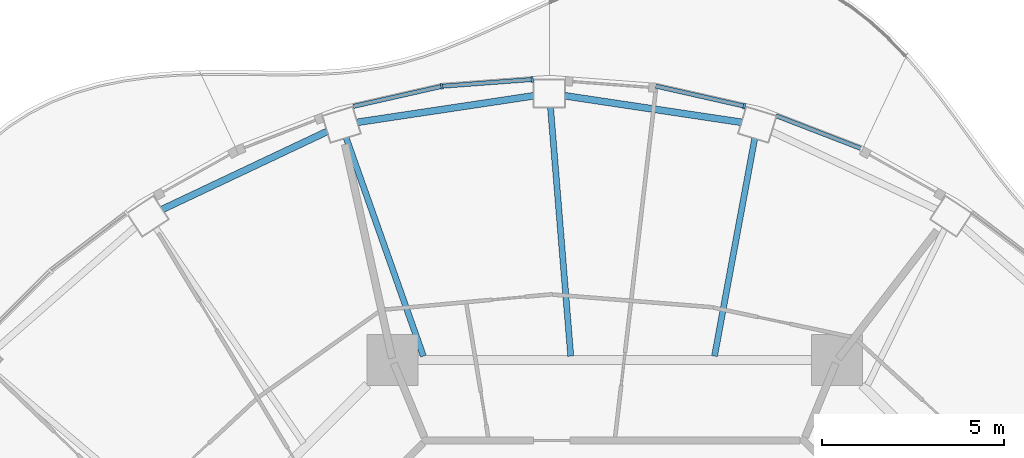
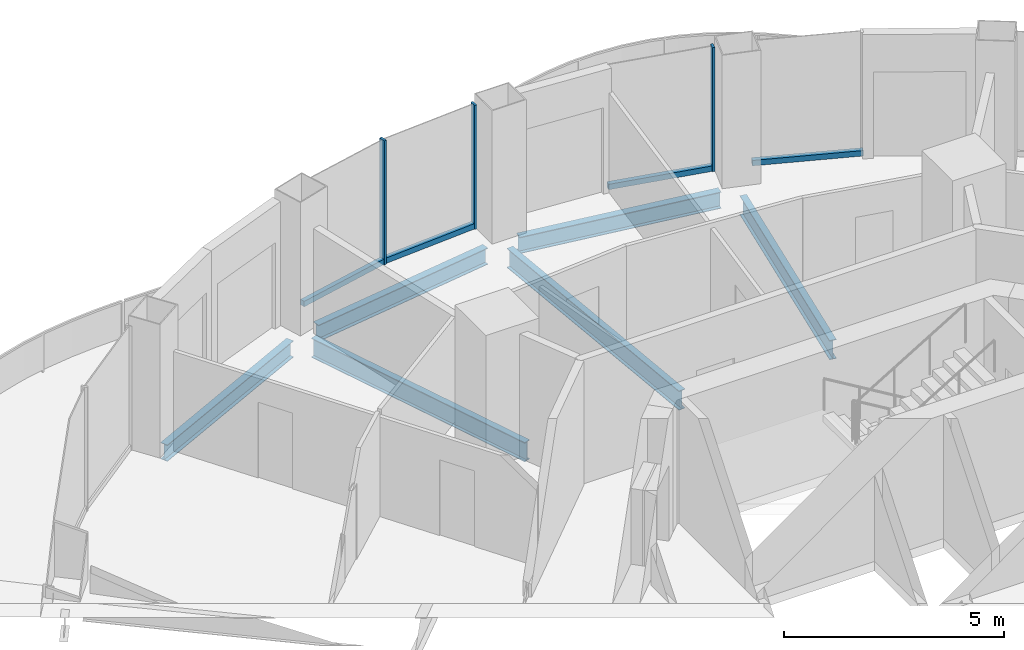
# One storey, part 6 of 17: 7 members, 6 beams, 4 elements without a shape of their own.
"""IFC4 building model written with IfcOpenShell, lengths in metres."""

from ifc_helpers import new_model, si_unit, direction, frame, origin, origin_2d, place, context, subcontext, project, spatial, rectangle, i_section, extrude, material, layer, layer_set, material_profile, profile_set, type_object, element, aggregate, save


model = new_model("IFC4")

# Units and contexts
model_context = context("Model", 3, precision=1e-05, world=origin(), true_north=direction((0.0, 1.0)))
body_context = subcontext(model_context, "Body", "Model", "MODEL_VIEW")
ifc_project = project(units=[si_unit("LENGTHUNIT", "METRE"), si_unit("AREAUNIT", "SQUARE_METRE"), si_unit("VOLUMEUNIT", "CUBIC_METRE"), si_unit("PLANEANGLEUNIT", "RADIAN"), si_unit("MASSUNIT", "GRAM", prefix="KILO")], contexts=[model_context])

# Site, building, storey
site_placement = place(None, origin())
site = spatial("IfcSite", under=ifc_project, at=site_placement, CompositionType="ELEMENT")
building_placement = place(site_placement, origin())
building = spatial("IfcBuilding", under=site, at=building_placement, Name="Nagisa Residences", CompositionType="ELEMENT")
storey_placement = place(building_placement, frame((0.0, 0.0, 291.800048828125)))
storey = spatial("IfcBuildingStorey", under=building, at=storey_placement, Name="L74", CompositionType="ELEMENT", Elevation=291.800048828125)

# Curtain wall, member
ifc_material_1 = material(Name="Concrete-coloured aluminium curtain wall system", Category="concrete")
ifc_layer = layer(ifc_material_1, 0.159912109375)
ifc_layer_set = layer_set([ifc_layer], Name="CW1 CURTAIN WALL")
curtain_wall_type = type_object("IfcCurtainWallType", Name="CW1 CURTAIN WALL", PredefinedType="NOTDEFINED", material=ifc_layer_set)
curtain_wall_1_placement = place(storey_placement, origin())
curtain_wall_1 = element("IfcCurtainWall", 1, at=curtain_wall_1_placement, inside=storey, type_object=curtain_wall_type, Name="cw:CW1:L74:10", PredefinedType="NOTDEFINED")
ifc_material_2 = material(Name="Concrete-coloured aluminium", Category="concrete")
ifc_material_profile_1 = material_profile(ifc_material_2, rectangle(XDim=0.159912109375, YDim=0.06005859375, at=origin_2d()), Name="CW1 MULLION 160x60")
ifc_profile_set_1 = profile_set([ifc_material_profile_1], Name="Concrete-coloured aluminium")
member_type_1 = type_object("IfcMemberType", Name="CW1 MULLION 160x60", PredefinedType="MULLION", material=ifc_profile_set_1)
member_1_placement = place(storey_placement, frame((3.568603515625, 21.773193359375, 0.0), z_axis=(0.0, 0.0, 1.0), x_axis=(-0.2207639201, -0.975327274089, 0.0)))
member_1 = element("IfcMember", 2, at=member_1_placement, type_object=member_type_1, Name="CW1 mullion", PredefinedType="MULLION", context=body_context, shape_type="SweptSolid", body=[
    extrude(rectangle(XDim=0.159912109375, YDim=0.06005859375, at=origin_2d()), origin(), (0.0, 0.0, 1.0), 3.43994140625),
])

curtain_wall_2_placement = place(storey_placement, origin())
curtain_wall_2 = element("IfcCurtainWall", 3, at=curtain_wall_2_placement, inside=storey, type_object=curtain_wall_type, Name="cw:CW1:L74:12", PredefinedType="NOTDEFINED")
member_2_placement = place(storey_placement, frame((-2.272705078125, 22.5068359375, 0.0), z_axis=(0.0, 0.0, 1.0), x_axis=(0.074377355493, -0.997230168512, 0.0)))
member_2 = element("IfcMember", 4, at=member_2_placement, type_object=member_type_1, Name="CW1 mullion", PredefinedType="MULLION", context=body_context, shape_type="SweptSolid", body=[
    extrude(rectangle(XDim=0.159912109375, YDim=0.06005859375, at=origin_2d()), origin(), (0.0, 0.0, 1.0), 3.43994140625),
])

curtain_wall_3_placement = place(storey_placement, origin())
curtain_wall_3 = element("IfcCurtainWall", 5, at=curtain_wall_3_placement, inside=storey, type_object=curtain_wall_type, Name="cw:CW1:L74:13", PredefinedType="NOTDEFINED")
member_3_placement = place(storey_placement, frame((-4.76416015625, 22.3173828125, 0.0), z_axis=(0.0, 0.0, 1.0), x_axis=(0.2207639201, -0.975327274089, 0.0)))
member_3 = element("IfcMember", 6, at=member_3_placement, type_object=member_type_1, Name="CW1 mullion", PredefinedType="MULLION", context=body_context, shape_type="SweptSolid", body=[
    extrude(rectangle(XDim=0.159912109375, YDim=0.06005859375, at=origin_2d()), origin(), (0.0, 0.0, 1.0), 3.43994140625),
])

curtain_wall_4_placement = place(storey_placement, origin())
curtain_wall_4 = element("IfcCurtainWall", 7, at=curtain_wall_4_placement, inside=storey, type_object=curtain_wall_type, Name="cw:CW1:L74:09", PredefinedType="NOTDEFINED")
ifc_material_3 = material(Name="Concrete-coloured aluminium", Category="concrete")
ifc_material_profile_2 = material_profile(ifc_material_3, rectangle(XDim=0.1201171875, YDim=0.14990234375, at=origin_2d()), Name="CW1 TRANSOM 120x150")
ifc_profile_set_2 = profile_set([ifc_material_profile_2], Name="Concrete-coloured aluminium")
member_type_2 = type_object("IfcMemberType", Name="CW1 TRANSOM 120x150", PredefinedType="USERDEFINED", material=ifc_profile_set_2)
member_4_placement = place(storey_placement, frame((6.827392578125, 20.58837890625, 0.074951171875), z_axis=(-0.93282223778, 0.360336887792, 0.0), x_axis=(-0.360336887792, -0.93282223778, 0.0)))
member_4 = element("IfcMember", 8, at=member_4_placement, type_object=member_type_2, Name="CW1 transom", ObjectType="TRANSOM", PredefinedType="USERDEFINED", context=body_context, shape_type="SweptSolid", body=[
    extrude(rectangle(XDim=0.1201171875, YDim=0.14990234375, at=origin_2d()), origin(), (0.0, 0.0, 1.0), 2.5537109375),
])
aggregate(curtain_wall_4, [member_4])

# Member
member_5_placement = place(storey_placement, frame((3.597900390625, 21.7666015625, 0.074951171875), z_axis=(-0.975340398222, 0.220705930136, 0.0), x_axis=(-0.220705930136, -0.975340398222, 0.0)))
member_5 = element("IfcMember", 9, at=member_5_placement, type_object=member_type_2, Name="CW1 transom", ObjectType="TRANSOM", PredefinedType="USERDEFINED", context=body_context, shape_type="SweptSolid", body=[
    extrude(rectangle(XDim=0.1201171875, YDim=0.14990234375, at=origin_2d()), origin(), (0.0, 0.0, 1.0), 2.525390625),
])

aggregate(curtain_wall_1, [member_1, member_5])

member_6_placement = place(storey_placement, frame((-2.242919921875, 22.509033203125, 0.074951171875), z_axis=(-0.99722914645, -0.074391057731, 0.0), x_axis=(0.074391057731, -0.99722914645, 0.0)))
member_6 = element("IfcMember", 10, at=member_6_placement, type_object=member_type_2, Name="CW1 transom", ObjectType="TRANSOM", PredefinedType="USERDEFINED", context=body_context, shape_type="SweptSolid", body=[
    extrude(rectangle(XDim=0.1201171875, YDim=0.14990234375, at=origin_2d()), origin(), (0.0, 0.0, 1.0), 2.510498046875),
])

aggregate(curtain_wall_2, [member_2, member_6])

member_7_placement = place(storey_placement, frame((-4.73486328125, 22.323974609375, 0.074951171875), z_axis=(-0.975340398222, -0.220705930136, 0.0), x_axis=(0.220705930136, -0.975340398222, 0.0)))
member_7 = element("IfcMember", 11, at=member_7_placement, type_object=member_type_2, Name="CW1 transom", ObjectType="TRANSOM", PredefinedType="USERDEFINED", context=body_context, shape_type="SweptSolid", body=[
    extrude(rectangle(XDim=0.1201171875, YDim=0.14990234375, at=origin_2d()), origin(), (0.0, 0.0, 1.0), 2.525390625),
])

aggregate(curtain_wall_3, [member_3, member_7])

# Beams
ifc_material_4 = material(Name="Steel ASTM A572 Gr 50", Category="steel")
ifc_material_profile_3 = material_profile(ifc_material_4, i_section(OverallWidth=0.18994140625, OverallDepth=0.45703125, WebThickness=0.009033203125, FlangeThickness=0.014404296875, at=origin_2d()), Name="W460x74")
ifc_profile_set_3 = profile_set([ifc_material_profile_3], Name="Steel ASTM A572 Gr 50")
beam_type_1 = type_object("IfcBeamType", Name="Perimeter ring beam W460x74", PredefinedType="BEAM", material=ifc_profile_set_3)
beam_1_placement = place(storey_placement, frame((3.4951171875, 21.326904296875, -0.488525390625), z_axis=(-0.988907577601, 0.148532161377, 0.0), x_axis=(-0.148532161377, -0.988907577601, 0.0)))
element("IfcBeam", 12, at=beam_1_placement, inside=storey, type_object=beam_type_1, Name="beam:L74:pb06", PredefinedType="BEAM", context=body_context, shape_type="SweptSolid", body=[
    extrude(i_section(OverallWidth=0.18994140625, OverallDepth=0.45703125, WebThickness=0.009033203125, FlangeThickness=0.014404296875, at=origin_2d()), origin(), (0.0, 0.0, 1.0), 4.919677734375),
])
beam_2_placement = place(storey_placement, frame((-2.230224609375, 22.0576171875, -0.488525390625), z_axis=(-0.98890648267, -0.148539451101, 0.0), x_axis=(0.148539451101, -0.98890648267, 0.0)))
element("IfcBeam", 13, at=beam_2_placement, inside=storey, type_object=beam_type_1, Name="beam:L74:pb07", PredefinedType="BEAM", context=body_context, shape_type="SweptSolid", body=[
    extrude(i_section(OverallWidth=0.18994140625, OverallDepth=0.45703125, WebThickness=0.009033203125, FlangeThickness=0.014404296875, at=origin_2d()), origin(), (0.0, 0.0, 1.0), 4.91943359375),
])
beam_3_placement = place(storey_placement, frame((-7.918212890625, 21.076416015625, -0.488525390625), z_axis=(-0.904115893837, -0.427287316113, 0.0), x_axis=(0.427287316113, -0.904115893837, 0.0)))
element("IfcBeam", 14, at=beam_3_placement, inside=storey, type_object=beam_type_1, Name="beam:L74:pb08", PredefinedType="BEAM", context=body_context, shape_type="SweptSolid", body=[
    extrude(i_section(OverallWidth=0.18994140625, OverallDepth=0.45703125, WebThickness=0.009033203125, FlangeThickness=0.014404296875, at=origin_2d()), origin(), (0.0, 0.0, 1.0), 5.031494140625),
])
ifc_material_5 = material(Name="Steel ASTM A572 Gr 50", Category="steel")
ifc_material_profile_4 = material_profile(ifc_material_5, i_section(OverallWidth=0.166015625, OverallDepth=0.534912109375, WebThickness=0.01025390625, FlangeThickness=0.0166015625, at=origin_2d()), Name="W530x85")
ifc_profile_set_4 = profile_set([ifc_material_profile_4], Name="Steel ASTM A572 Gr 50")
beam_type_2 = type_object("IfcBeamType", Name="Radial beam W530x85", PredefinedType="BEAM", material=ifc_profile_set_4)
beam_4_placement = place(storey_placement, frame((3.855712890625, 20.885986328125, -0.527587890625), z_axis=(-0.18155164865, -0.983381410681, 0.0), x_axis=(0.983381410681, -0.18155164865, 0.0)))
element("IfcBeam", 15, at=beam_4_placement, inside=storey, type_object=beam_type_2, Name="beam:L74:rb06", PredefinedType="BEAM", context=body_context, shape_type="SweptSolid", body=[
    extrude(i_section(OverallWidth=0.166015625, OverallDepth=0.534912109375, WebThickness=0.01025390625, FlangeThickness=0.0166015625, at=origin_2d()), origin(), (0.0, 0.0, 1.0), 6.098388671875),
])
beam_5_placement = place(storey_placement, frame((-1.76904296875, 21.7421875, -0.527587890625), z_axis=(0.081094239996, -0.996706438346, 0.0), x_axis=(0.996706438346, 0.081094239996, 0.0)))
element("IfcBeam", 16, at=beam_5_placement, inside=storey, type_object=beam_type_2, Name="beam:L74:rb07", PredefinedType="BEAM", context=body_context, shape_type="SweptSolid", body=[
    extrude(i_section(OverallWidth=0.166015625, OverallDepth=0.534912109375, WebThickness=0.01025390625, FlangeThickness=0.0166015625, at=origin_2d()), origin(), (0.0, 0.0, 1.0), 6.876220703125),
])
beam_6_placement = place(storey_placement, frame((-7.398193359375, 20.903564453125, -0.527587890625), z_axis=(0.333636730814, -0.942701719449, 0.0), x_axis=(0.942701719449, 0.333636730814, 0.0)))
element("IfcBeam", 17, at=beam_6_placement, inside=storey, type_object=beam_type_2, Name="beam:L74:rb08", PredefinedType="BEAM", context=body_context, shape_type="SweptSolid", body=[
    extrude(i_section(OverallWidth=0.166015625, OverallDepth=0.534912109375, WebThickness=0.01025390625, FlangeThickness=0.0166015625, at=origin_2d()), origin(), (0.0, 0.0, 1.0), 6.37939453125),
])

save(model, "model.ifc")
